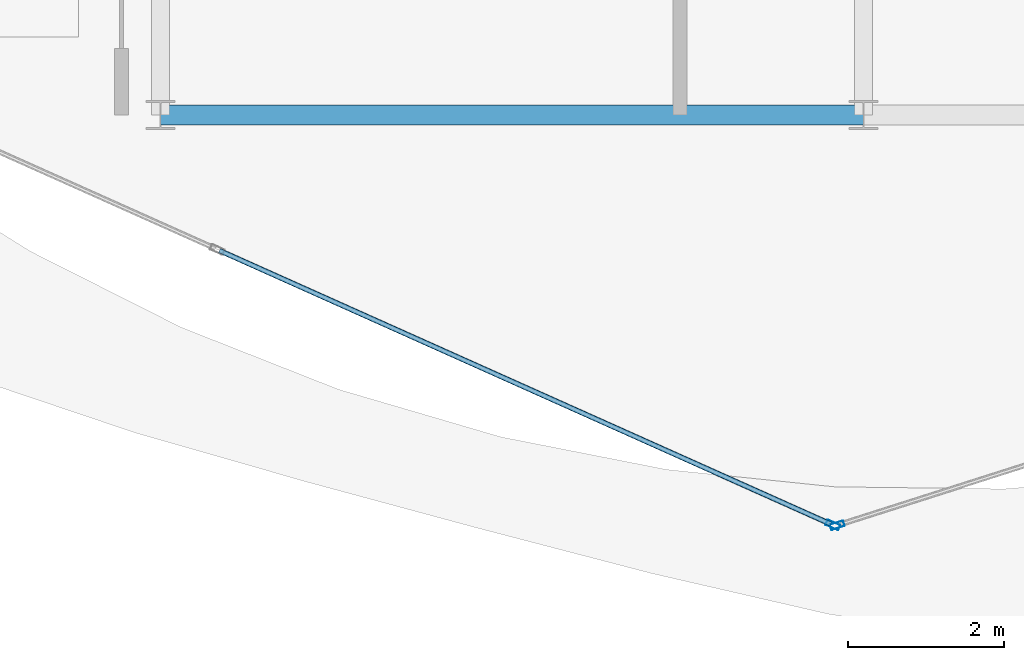
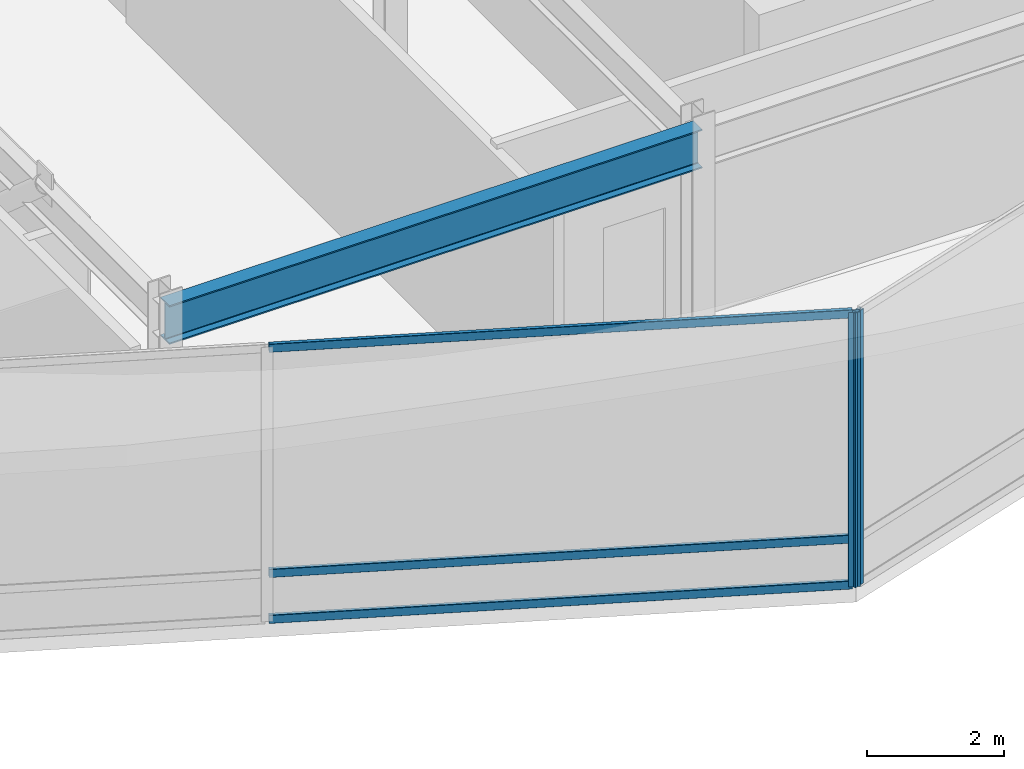
# One storey, part 3 of 19: 5 members, 1 beam, 2 elements without a shape of their own.
"""IFC4 building model written with IfcOpenShell, lengths in metres."""

from ifc_helpers import new_model, si_unit, direction, frame, origin, origin_2d, place, context, subcontext, project, spatial, hollow_rectangle, i_section, extrude, material, layer, layer_set, material_profile, profile_set, type_object, element, aggregate, save


model = new_model("IFC4")

# Units and contexts
model_context = context("Model", 3, precision=1e-05, world=origin(), true_north=direction((0.0, 1.0)))
body_context = subcontext(model_context, "Body", "Model", "MODEL_VIEW")
ifc_project = project(units=[si_unit("LENGTHUNIT", "METRE"), si_unit("AREAUNIT", "SQUARE_METRE"), si_unit("VOLUMEUNIT", "CUBIC_METRE"), si_unit("PLANEANGLEUNIT", "RADIAN"), si_unit("MASSUNIT", "GRAM", prefix="KILO")], contexts=[model_context])

# Site, building, storey
site_placement = place(None, origin())
site = spatial("IfcSite", under=ifc_project, at=site_placement, CompositionType="ELEMENT")
building_placement = place(site_placement, origin())
building = spatial("IfcBuilding", under=site, at=building_placement, Name="Solvaryn Broadcast Tower", CompositionType="ELEMENT")
storey_placement = place(building_placement, frame((0.0, 0.0, 302.60009765625)))
storey = spatial("IfcBuildingStorey", under=building, at=storey_placement, Name="L76", CompositionType="ELEMENT", Elevation=302.60009765625)

# Beam
ifc_material_1 = material(Name="Steel ASTM A992 Grade 50", Category="steel")
ifc_material_profile_1 = material_profile(ifc_material_1, i_section(OverallWidth=0.256103515625, OverallDepth=0.693115234375, WebThickness=0.014404296875, FlangeThickness=0.023681640625, FilletRadius=0.01611328125, at=origin_2d()))
ifc_profile_set_1 = profile_set([ifc_material_profile_1], Name="Steel ASTM A992 Grade 50")
beam_type = type_object("IfcBeamType", Name="BM-SP3-W27X114", PredefinedType="USERDEFINED", material=ifc_profile_set_1)
beam_placement = place(storey_placement, frame((18.0, 9.0, 4.553466796875), z_axis=(1.0, 0.0, 0.0), x_axis=(0.0, 1.0, 0.0)))
element("IfcBeam", 1, at=beam_placement, inside=storey, type_object=beam_type, Name="L76 Spandrel Beam X (18-27 @ Y=9)", ObjectType="SPANDREL", PredefinedType="USERDEFINED", context=body_context, shape_type="SweptSolid", body=[
    extrude(i_section(OverallWidth=0.256103515625, OverallDepth=0.693115234375, WebThickness=0.014404296875, FlangeThickness=0.023681640625, FilletRadius=0.01611328125, at=origin_2d()), origin(), (0.0, 0.0, 1.0), 9.0),
])

# Curtain wall, member
ifc_material_2 = material(Name="Aluminium and Terracotta Unitised Curtain Wall", Category="masonry")
ifc_layer = layer(ifc_material_2, 0.260009765625)
ifc_layer_set = layer_set([ifc_layer], Name="CW-SYS5-DAMPER")
curtain_wall_type = type_object("IfcCurtainWallType", Name="CW-SYS5-DAMPER", PredefinedType="NOTDEFINED", material=ifc_layer_set)
curtain_wall_1_placement = place(storey_placement, origin())
curtain_wall_1 = element("IfcCurtainWall", 2, at=curtain_wall_1_placement, inside=storey, type_object=curtain_wall_type, Name="L76 Curtain Wall DR3", PredefinedType="NOTDEFINED")
ifc_material_3 = material(Name="Anodised Aluminium 6063-T6", Category="aluminium")
ifc_material_profile_2 = material_profile(ifc_material_3, hollow_rectangle(XDim=0.074951171875, YDim=0.179931640625, WallThickness=0.00390625, InnerFilletRadius=0.00390625, OuterFilletRadius=0.008056640625, at=origin_2d()))
ifc_profile_set_2 = profile_set([ifc_material_profile_2], Name="Anodised Aluminium 6063-T6")
member_type_1 = type_object("IfcMemberType", Name="CW-MUL-180", PredefinedType="MULLION", material=ifc_profile_set_2)
member_1_placement = place(storey_placement, frame((26.608642578125, 3.750244140625, 0.0), z_axis=(0.0, 0.0, 1.0), x_axis=(0.408466010682, 0.912773530574, 0.0)))
member_1 = element("IfcMember", 3, at=member_1_placement, type_object=member_type_1, Name="CWS5 mullion 3", PredefinedType="MULLION", context=body_context, shape_type="SweptSolid", body=[
    extrude(hollow_rectangle(XDim=0.074951171875, YDim=0.179931640625, WallThickness=0.00390625, InnerFilletRadius=0.00390625, OuterFilletRadius=0.008056640625, at=origin_2d()), origin(), (0.0, 0.0, 1.0), 4.89990234375),
])

curtain_wall_2_placement = place(storey_placement, origin())
curtain_wall_2 = element("IfcCurtainWall", 4, at=curtain_wall_2_placement, inside=storey, type_object=curtain_wall_type, Name="L76 Curtain Wall DR4", PredefinedType="NOTDEFINED")
member_2_placement = place(storey_placement, frame((26.66455078125, 3.7470703125, 0.0), z_axis=(0.0, 0.0, 1.0), x_axis=(-0.30361564569, 0.952794594701, 0.0)))
member_2 = element("IfcMember", 5, at=member_2_placement, type_object=member_type_1, Name="CWS5 mullion 1", PredefinedType="MULLION", context=body_context, shape_type="SweptSolid", body=[
    extrude(hollow_rectangle(XDim=0.074951171875, YDim=0.179931640625, WallThickness=0.00390625, InnerFilletRadius=0.00390625, OuterFilletRadius=0.008056640625, at=origin_2d()), origin(), (0.0, 0.0, 1.0), 4.89990234375),
])
aggregate(curtain_wall_2, [member_2])

# Member
ifc_material_4 = material(Name="Anodised Aluminium 6063-T6", Category="aluminium")
ifc_material_profile_3 = material_profile(ifc_material_4, hollow_rectangle(XDim=0.06494140625, YDim=0.14990234375, WallThickness=0.00390625, InnerFilletRadius=0.00390625, OuterFilletRadius=0.008056640625, at=origin_2d()))
ifc_profile_set_3 = profile_set([ifc_material_profile_3], Name="Anodised Aluminium 6063-T6")
member_type_2 = type_object("IfcMemberType", Name="CW-TRN-150", PredefinedType="USERDEFINED", material=ifc_profile_set_3)
member_3_placement = place(storey_placement, frame((18.75390625, 7.26513671875, 0.02978515625), z_axis=(0.91277663463, -0.408459074172, 0.0), x_axis=(0.408459074172, 0.91277663463, 0.0)))
member_3 = element("IfcMember", 6, at=member_3_placement, type_object=member_type_2, Name="CWS5 transom 2.1", ObjectType="TRANSOM", PredefinedType="USERDEFINED", context=body_context, shape_type="SweptSolid", body=[
    extrude(hollow_rectangle(XDim=0.06494140625, YDim=0.14990234375, WallThickness=0.00390625, InnerFilletRadius=0.00390625, OuterFilletRadius=0.008056640625, at=origin_2d()), origin(), (0.0, 0.0, 1.0), 8.575439453125),
])

member_4_placement = place(storey_placement, frame((18.75390625, 7.26513671875, 0.849853515625), z_axis=(0.91277663463, -0.408459074172, 0.0), x_axis=(0.408459074172, 0.91277663463, 0.0)))
member_4 = element("IfcMember", 7, at=member_4_placement, type_object=member_type_2, Name="CWS5 transom 2.2", ObjectType="TRANSOM", PredefinedType="USERDEFINED", context=body_context, shape_type="SweptSolid", body=[
    extrude(hollow_rectangle(XDim=0.06494140625, YDim=0.14990234375, WallThickness=0.00390625, InnerFilletRadius=0.00390625, OuterFilletRadius=0.008056640625, at=origin_2d()), origin(), (0.0, 0.0, 1.0), 8.575439453125),
])

member_5_placement = place(storey_placement, frame((18.75390625, 7.26513671875, 4.869873046875), z_axis=(0.91277663463, -0.408459074172, 0.0), x_axis=(0.408459074172, 0.91277663463, 0.0)))
member_5 = element("IfcMember", 8, at=member_5_placement, type_object=member_type_2, Name="CWS5 transom 2.3", ObjectType="TRANSOM", PredefinedType="USERDEFINED", context=body_context, shape_type="SweptSolid", body=[
    extrude(hollow_rectangle(XDim=0.06494140625, YDim=0.14990234375, WallThickness=0.00390625, InnerFilletRadius=0.00390625, OuterFilletRadius=0.008056640625, at=origin_2d()), origin(), (0.0, 0.0, 1.0), 8.575439453125),
])

aggregate(curtain_wall_1, [member_1, member_3, member_4, member_5])

save(model, "model.ifc")
